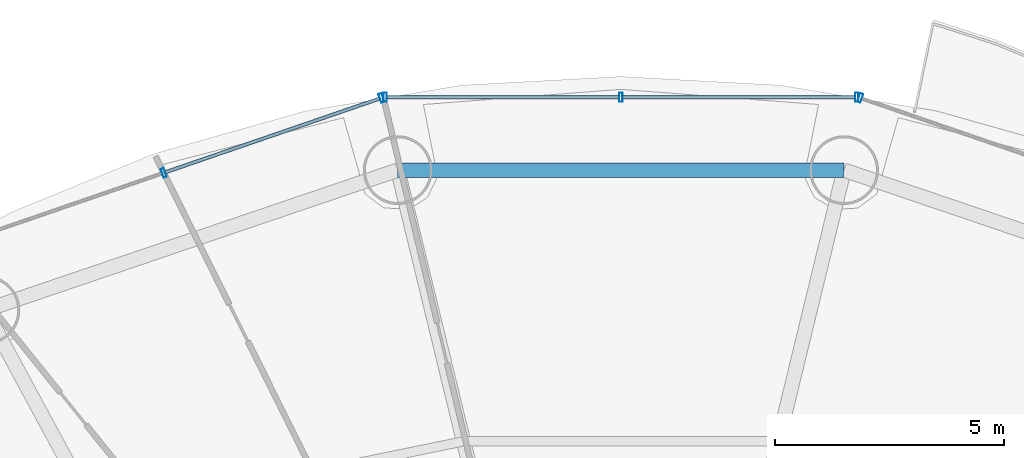
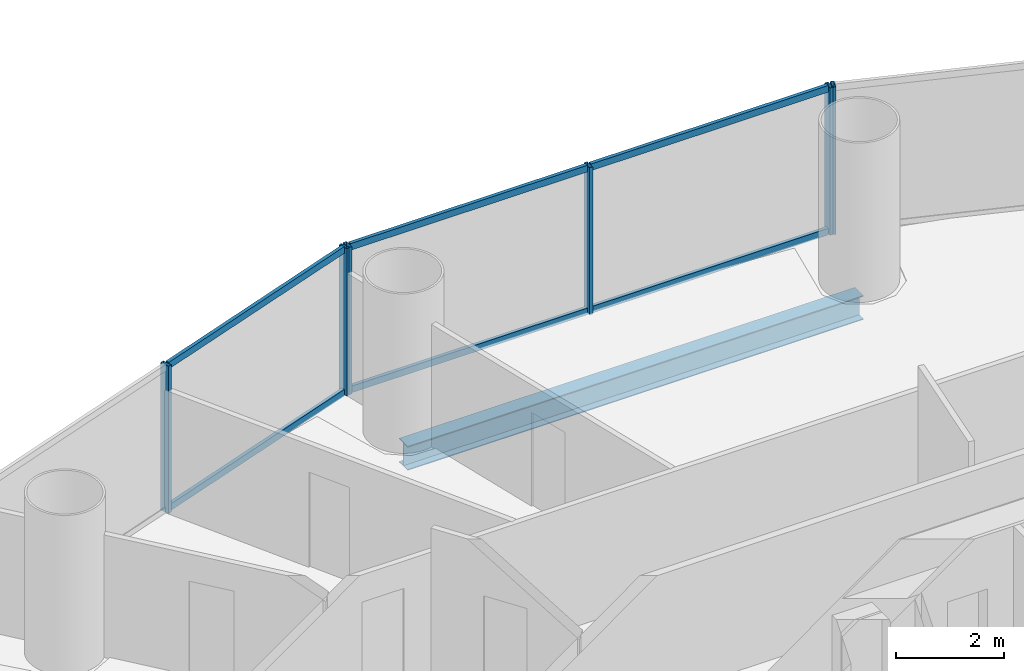
# One storey, part 18 of 29: 12 members, 1 beam, 3 elements without a shape of their own.
"""IFC4 building model written with IfcOpenShell, lengths in metres."""

from ifc_helpers import new_model, si_unit, direction, frame, origin, origin_2d, place, context, subcontext, project, spatial, hollow_rectangle, i_section, extrude, source, transform, mapped, material, material_profile, profile_set, type_object, element, aggregate, save


model = new_model("IFC4")

# Units and contexts
model_context = context("Model", 3, precision=1e-05, world=origin(), true_north=direction((-0.2419218956, 0.970295726276)))
body_context = subcontext(model_context, "Body", "Model", "MODEL_VIEW")
ifc_project = project(units=[si_unit("LENGTHUNIT", "METRE"), si_unit("AREAUNIT", "SQUARE_METRE"), si_unit("VOLUMEUNIT", "CUBIC_METRE"), si_unit("PLANEANGLEUNIT", "RADIAN"), si_unit("MASSUNIT", "GRAM", prefix="KILO")], contexts=[model_context])

# Site, building, storey
site_placement = place(None, origin())
site = spatial("IfcSite", under=ifc_project, at=site_placement, CompositionType="ELEMENT")
building_placement = place(site_placement, origin())
building = spatial("IfcBuilding", under=site, at=building_placement, Name="Cobrevalo Terracotta Tower", CompositionType="ELEMENT")
storey_placement = place(building_placement, frame((0.0, 0.0, 115.800048828125)))
storey = spatial("IfcBuildingStorey", under=building, at=storey_placement, Name="L30", CompositionType="ELEMENT", Elevation=115.800048828125)

# Beam
ifc_material_1 = material(Name="Steel S355", Category="steel")
ifc_material_profile_1 = material_profile(ifc_material_1, i_section(OverallWidth=0.31201171875, OverallDepth=0.54296875, WebThickness=0.0126953125, FlangeThickness=0.020263671875, at=origin_2d()), Name="W 530x150")
ifc_profile_set_1 = profile_set([ifc_material_profile_1], Name="Steel S355")
beam_type = type_object("IfcBeamType", Name="Structural Spandrel W 530x150 (Steel S355)", PredefinedType="SPANDREL", material=ifc_profile_set_1)
beam_placement = place(storey_placement, frame((42.867431640625, 46.857177734375, -0.546630859375), z_axis=(-1.0, 0.0, 0.0), x_axis=(0.0, -1.0, 0.0)))
element("IfcBeam", 1, at=beam_placement, inside=storey, type_object=beam_type, Name="L30 perimeter ring spandrel 04", PredefinedType="SPANDREL", context=body_context, shape_type="SweptSolid", body=[
    extrude(i_section(OverallWidth=0.31201171875, OverallDepth=0.54296875, WebThickness=0.0126953125, FlangeThickness=0.020263671875, at=origin_2d()), origin(), (0.0, 0.0, 1.0), 9.73486328125),
])

# Curtain wall, member
ifc_material_2 = material(Name="Anodized aluminium", Category="aluminium")
curtain_wall_type = type_object("IfcCurtainWallType", Name="Lower-tower unitised acoustic low-E curtain wall CW-U1", PredefinedType="NOTDEFINED", material=ifc_material_2)
curtain_wall_1_placement = place(storey_placement, origin())
curtain_wall_1 = element("IfcCurtainWall", 2, at=curtain_wall_1_placement, inside=storey, type_object=curtain_wall_type, Name="L30 curtain wall CW-L30-S03", PredefinedType="NOTDEFINED")
ifc_material_profile_2 = material_profile(ifc_material_2, hollow_rectangle(XDim=0.074951171875, YDim=0.199951171875, WallThickness=0.0048828125, at=origin_2d()), Name="CWM 75x200")
ifc_profile_set_2 = profile_set([ifc_material_profile_2], Name="Anodized aluminium")
member_type_1 = type_object("IfcMemberType", Name="Lower/mid tower unitised mullion 75x200", PredefinedType="MULLION", material=ifc_profile_set_2)
shared_shape_1 = source(origin(), body_context, "Body", "SweptSolid", [
    extrude(hollow_rectangle(XDim=0.074951171875, YDim=0.199951171875, WallThickness=0.0048828125, at=origin_2d()), origin(), (0.0, 0.0, 1.0), 3.324951171875),
])
member_1_placement = place(storey_placement, frame((43.221435546875, 48.432861328125, 0.0), z_axis=(0.0, 0.0, 1.0), x_axis=(-0.94559809868, 0.325337110968, 0.0)))
member_1 = element("IfcMember", 3, at=member_1_placement, type_object=member_type_1, Name="CW-L30-S03 vertical mullion 03", PredefinedType="MULLION", context=body_context, shape_type="MappedRepresentation", body=[
    mapped(shared_shape_1, transform((0.0, 0.0, 0.0), scale=1.0)),
])
aggregate(curtain_wall_1, [member_1])

# Curtain wall, members
curtain_wall_2_placement = place(storey_placement, origin())
curtain_wall_2 = element("IfcCurtainWall", 4, at=curtain_wall_2_placement, inside=storey, type_object=curtain_wall_type, Name="L30 curtain wall CW-L30-S04", PredefinedType="NOTDEFINED")
member_2_placement = place(storey_placement, frame((43.1435546875, 48.446044921875, 0.0), z_axis=(0.0, 0.0, 1.0), x_axis=(-1.0, 0.0, 0.0)))
member_2 = element("IfcMember", 5, at=member_2_placement, type_object=member_type_1, Name="CW-L30-S04 vertical mullion 01", PredefinedType="MULLION", context=body_context, shape_type="MappedRepresentation", body=[
    mapped(shared_shape_1, transform((0.0, 0.0, 0.0), scale=1.0)),
])
member_3_placement = place(storey_placement, frame((38.0, 48.446044921875, 0.0), z_axis=(0.0, 0.0, 1.0), x_axis=(-1.0, 0.0, 0.0)))
member_3 = element("IfcMember", 6, at=member_3_placement, type_object=member_type_1, Name="CW-L30-S04 vertical mullion 02", PredefinedType="MULLION", context=body_context, shape_type="MappedRepresentation", body=[
    mapped(shared_shape_1, transform((0.0, 0.0, 0.0), scale=1.0)),
])
member_4_placement = place(storey_placement, frame((32.8564453125, 48.446044921875, 0.0), z_axis=(0.0, 0.0, 1.0), x_axis=(-1.0, 0.0, 0.0)))
member_4 = element("IfcMember", 7, at=member_4_placement, type_object=member_type_1, Name="CW-L30-S04 vertical mullion 03", PredefinedType="MULLION", context=body_context, shape_type="MappedRepresentation", body=[
    mapped(shared_shape_1, transform((0.0, 0.0, 0.0), scale=1.0)),
])

curtain_wall_3_placement = place(storey_placement, origin())
curtain_wall_3 = element("IfcCurtainWall", 8, at=curtain_wall_3_placement, inside=storey, type_object=curtain_wall_type, Name="L30 curtain wall CW-L30-S05", PredefinedType="NOTDEFINED")
member_5_placement = place(storey_placement, frame((32.778564453125, 48.432861328125, 0.0), z_axis=(0.0, 0.0, 1.0), x_axis=(-0.94559809868, -0.325337110968, 0.0)))
member_5 = element("IfcMember", 9, at=member_5_placement, type_object=member_type_1, Name="CW-L30-S05 vertical mullion 01", PredefinedType="MULLION", context=body_context, shape_type="MappedRepresentation", body=[
    mapped(shared_shape_1, transform((0.0, 0.0, 0.0), scale=1.0)),
])
member_6_placement = place(storey_placement, frame((28.027587890625, 46.79833984375, 0.0), z_axis=(0.0, 0.0, 1.0), x_axis=(-0.94559809868, -0.325337110968, 0.0)))
member_6 = element("IfcMember", 10, at=member_6_placement, type_object=member_type_1, Name="CW-L30-S05 vertical mullion 02", PredefinedType="MULLION", context=body_context, shape_type="MappedRepresentation", body=[
    mapped(shared_shape_1, transform((0.0, 0.0, 0.0), scale=1.0)),
])
ifc_material_profile_3 = material_profile(ifc_material_2, hollow_rectangle(XDim=0.074951171875, YDim=0.14990234375, WallThickness=0.00439453125, at=origin_2d()), Name="CWT 75x150")
ifc_profile_set_3 = profile_set([ifc_material_profile_3], Name="Anodized aluminium")
member_type_2 = type_object("IfcMemberType", Name="Tower unitised aluminium transom 75x150", PredefinedType="USERDEFINED", material=ifc_profile_set_3)
shared_shape_2 = source(origin(), body_context, "Body", "SweptSolid", [
    extrude(hollow_rectangle(XDim=0.074951171875, YDim=0.14990234375, WallThickness=0.00439453125, at=origin_2d()), origin(), (0.0, 0.0, 1.0), 4.944580078125),
])
member_7_placement = place(storey_placement, frame((32.74072265625, 48.419921875, 0.050048828125), z_axis=(-0.945597859971, -0.32533780478, 0.0), x_axis=(0.32533780478, -0.945597859971, 0.0)))
member_7 = element("IfcMember", 11, at=member_7_placement, type_object=member_type_2, Name="CW-L30-S05 transom B01-T1", ObjectType="TRANSOM", PredefinedType="USERDEFINED", context=body_context, shape_type="MappedRepresentation", body=[
    mapped(shared_shape_2, transform((0.0, 0.0, 0.0), scale=1.0)),
])
member_8_placement = place(storey_placement, frame((32.74072265625, 48.419921875, 3.27490234375), z_axis=(-0.945597859971, -0.32533780478, 0.0), x_axis=(0.32533780478, -0.945597859971, 0.0)))
member_8 = element("IfcMember", 12, at=member_8_placement, type_object=member_type_2, Name="CW-L30-S05 transom B01-T2", ObjectType="TRANSOM", PredefinedType="USERDEFINED", context=body_context, shape_type="MappedRepresentation", body=[
    mapped(shared_shape_2, transform((0.0, 0.0, 0.0), scale=1.0)),
])
aggregate(curtain_wall_3, [member_5, member_6, member_7, member_8])

# Member
shared_shape_3 = source(origin(), body_context, "Body", "SweptSolid", [
    extrude(hollow_rectangle(XDim=0.074951171875, YDim=0.14990234375, WallThickness=0.00439453125, at=origin_2d()), origin(), (0.0, 0.0, 1.0), 5.0634765625),
])
member_9_placement = place(storey_placement, frame((43.103515625, 48.446044921875, 0.050048828125), z_axis=(-1.0, 0.0, 0.0), x_axis=(0.0, -1.0, 0.0)))
member_9 = element("IfcMember", 13, at=member_9_placement, type_object=member_type_2, Name="CW-L30-S04 transom B01-T1", ObjectType="TRANSOM", PredefinedType="USERDEFINED", context=body_context, shape_type="MappedRepresentation", body=[
    mapped(shared_shape_3, transform((0.0, 0.0, 0.0), scale=1.0)),
])

member_10_placement = place(storey_placement, frame((43.103515625, 48.446044921875, 3.27490234375), z_axis=(-1.0, 0.0, 0.0), x_axis=(0.0, -1.0, 0.0)))
member_10 = element("IfcMember", 14, at=member_10_placement, type_object=member_type_2, Name="CW-L30-S04 transom B01-T2", ObjectType="TRANSOM", PredefinedType="USERDEFINED", context=body_context, shape_type="MappedRepresentation", body=[
    mapped(shared_shape_3, transform((0.0, 0.0, 0.0), scale=1.0)),
])

member_11_placement = place(storey_placement, frame((37.9599609375, 48.446044921875, 0.050048828125), z_axis=(-1.0, 0.0, 0.0), x_axis=(0.0, -1.0, 0.0)))
member_11 = element("IfcMember", 15, at=member_11_placement, type_object=member_type_2, Name="CW-L30-S04 transom B02-T1", ObjectType="TRANSOM", PredefinedType="USERDEFINED", context=body_context, shape_type="MappedRepresentation", body=[
    mapped(shared_shape_3, transform((0.0, 0.0, 0.0), scale=1.0)),
])

member_12_placement = place(storey_placement, frame((37.9599609375, 48.446044921875, 3.27490234375), z_axis=(-1.0, 0.0, 0.0), x_axis=(0.0, -1.0, 0.0)))
member_12 = element("IfcMember", 16, at=member_12_placement, type_object=member_type_2, Name="CW-L30-S04 transom B02-T2", ObjectType="TRANSOM", PredefinedType="USERDEFINED", context=body_context, shape_type="MappedRepresentation", body=[
    mapped(shared_shape_3, transform((0.0, 0.0, 0.0), scale=1.0)),
])

aggregate(curtain_wall_2, [member_2, member_3, member_4, member_9, member_10, member_11, member_12])

save(model, "model.ifc")
